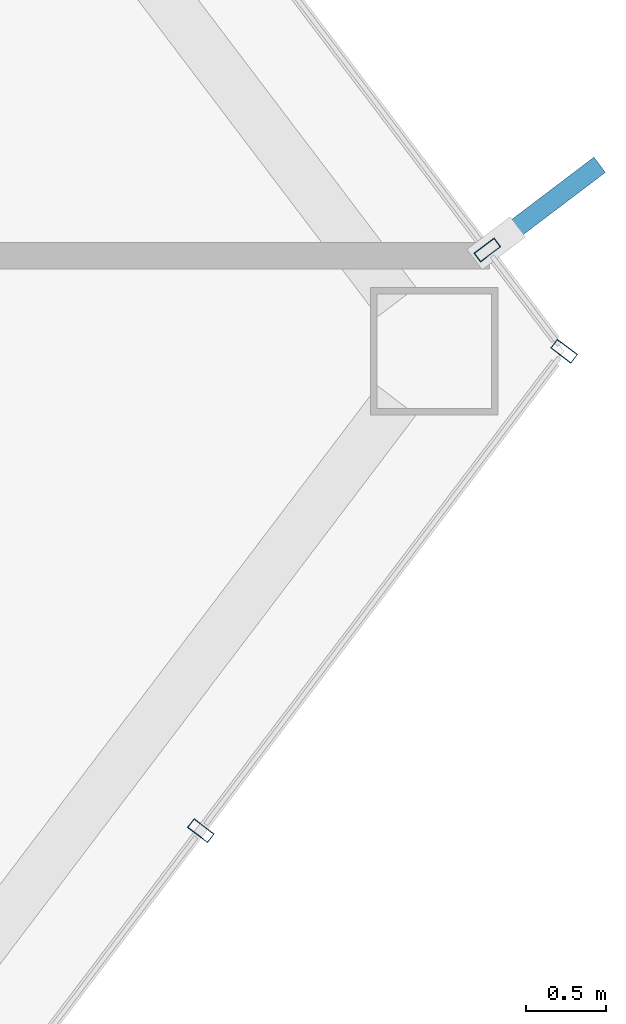
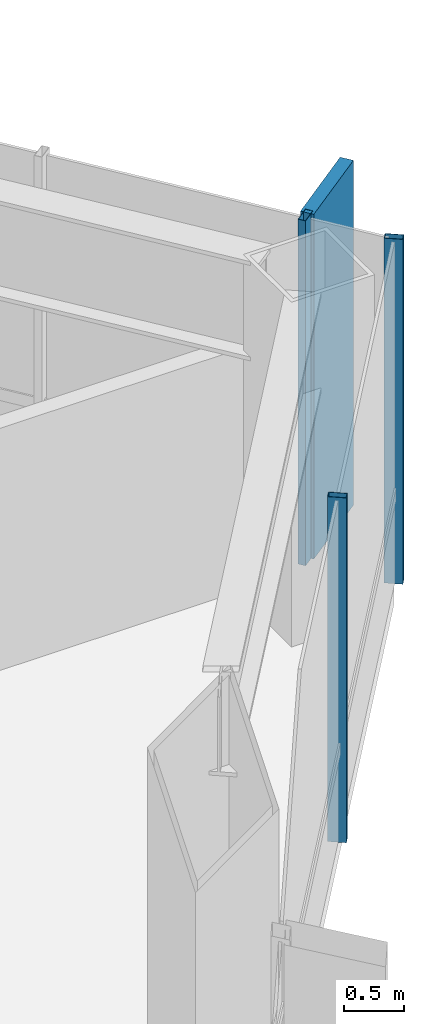
# One storey, part 21 of 29: 4 members, 2 elements without a shape of their own.
"""IFC4 building model written with IfcOpenShell, lengths in metres."""

from ifc_helpers import new_model, si_unit, direction, frame, origin, origin_2d, place, context, subcontext, project, spatial, rectangle, hollow_rectangle, extrude, material, layer, layer_set, material_profile, profile_set, type_object, element, aggregate, save


model = new_model("IFC4")

# Units and contexts
model_context = context("Model", 3, precision=1e-05, world=origin(), true_north=direction((0.0, 1.0)))
body_context = subcontext(model_context, "Body", "Model", "MODEL_VIEW")
ifc_project = project(units=[si_unit("LENGTHUNIT", "METRE"), si_unit("AREAUNIT", "SQUARE_METRE"), si_unit("VOLUMEUNIT", "CUBIC_METRE"), si_unit("PLANEANGLEUNIT", "RADIAN"), si_unit("MASSUNIT", "GRAM", prefix="KILO")], contexts=[model_context])

# Site, building, storey
site_placement = place(None, origin())
site = spatial("IfcSite", under=ifc_project, at=site_placement, CompositionType="ELEMENT")
building_placement = place(site_placement, origin())
building = spatial("IfcBuilding", under=site, at=building_placement, Name="Zarrinselat Tower", CompositionType="ELEMENT")
storey_placement = place(building_placement, frame((0.0, 0.0, 138.3798828125)))
storey = spatial("IfcBuildingStorey", under=building, at=storey_placement, Name="L33", CompositionType="ELEMENT", Elevation=138.3798828125)

# Curtain wall, members
ifc_material_1 = material(Name="Extruded Aluminium Alloy EN AW-6063 T6", Category="aluminium")
ifc_layer = layer(ifc_material_1, 0.175048828125)
ifc_layer_set = layer_set([ifc_layer], Name="Extruded Aluminium Alloy EN AW-6063 T6")
curtain_wall_type = type_object("IfcCurtainWallType", Name="CWS-HTL", PredefinedType="NOTDEFINED", material=ifc_layer_set)
curtain_wall_1_placement = place(storey_placement, origin())
curtain_wall_1 = element("IfcCurtainWall", 1, at=curtain_wall_1_placement, inside=storey, type_object=curtain_wall_type, Name="L33 Unitised Curtain Wall CW-L33-E05", PredefinedType="NOTDEFINED")
ifc_material_2 = material(Name="Extruded Aluminium Alloy EN AW-6063 T6", Category="aluminium")
ifc_material_profile_1 = material_profile(ifc_material_2, hollow_rectangle(XDim=0.070068359375, YDim=0.159912109375, WallThickness=0.00390625, at=origin_2d()), Name="RHS 160x70x4")
ifc_profile_set_1 = profile_set([ifc_material_profile_1], Name="Extruded Aluminium Alloy EN AW-6063 T6")
member_type_1 = type_object("IfcMemberType", Name="MEM-CW-MUL2", PredefinedType="MULLION", material=ifc_profile_set_1)
member_1_placement = place(storey_placement, frame((60.581298828125, 36.009521484375, 0.0), z_axis=(0.0, 0.0, 1.0), x_axis=(0.603855794642, 0.797093582509, 0.0)))
member_1 = element("IfcMember", 2, at=member_1_placement, type_object=member_type_1, Name="CW-L33-E05 Mullion 8", PredefinedType="MULLION", context=body_context, shape_type="SweptSolid", body=[
    extrude(hollow_rectangle(XDim=0.070068359375, YDim=0.159912109375, WallThickness=0.00390625, at=origin_2d()), origin(), (0.0, 0.0, 1.0), 3.5),
])
member_2_placement = place(storey_placement, frame((62.8623046875, 39.02001953125, 0.0), z_axis=(0.0, 0.0, 1.0), x_axis=(0.603855794642, 0.797093582509, 0.0)))
member_2 = element("IfcMember", 3, at=member_2_placement, type_object=member_type_1, Name="CW-L33-E05 Mullion 9", PredefinedType="MULLION", context=body_context, shape_type="SweptSolid", body=[
    extrude(hollow_rectangle(XDim=0.070068359375, YDim=0.159912109375, WallThickness=0.00390625, at=origin_2d()), origin(), (0.0, 0.0, 1.0), 3.5),
])
aggregate(curtain_wall_1, [member_1, member_2])

curtain_wall_2_placement = place(storey_placement, origin())
curtain_wall_2 = element("IfcCurtainWall", 4, at=curtain_wall_2_placement, inside=storey, type_object=curtain_wall_type, Name="L33 Unitised Curtain Wall CW-L33-E06", PredefinedType="NOTDEFINED")
member_3_placement = place(storey_placement, frame((62.38037109375, 39.65625, 0.0), z_axis=(0.0, 0.0, 1.0), x_axis=(-0.60385935447, 0.79709088567, 0.0)))
member_3 = element("IfcMember", 5, at=member_3_placement, type_object=member_type_1, Name="CW-L33-E06 Mullion 1", PredefinedType="MULLION", context=body_context, shape_type="SweptSolid", body=[
    extrude(hollow_rectangle(XDim=0.070068359375, YDim=0.159912109375, WallThickness=0.00390625, at=origin_2d()), origin(), (0.0, 0.0, 1.0), 3.5),
])
ifc_material_3 = material(Name="Honed Cream Travertine Stone", Category="masonry")
ifc_material_profile_2 = material_profile(ifc_material_3, rectangle(XDim=0.1201171875, YDim=0.85009765625, at=origin_2d()), Name="FIN 850x120")
ifc_profile_set_2 = profile_set([ifc_material_profile_2], Name="Honed Cream Travertine Stone")
member_type_2 = type_object("IfcMemberType", Name="MEM-STONE-FIN", PredefinedType="USERDEFINED", material=ifc_profile_set_2)
member_4_placement = place(storey_placement, frame((62.7470703125, 39.93408203125, 0.0), z_axis=(0.0, 0.0, 1.0), x_axis=(0.60385935447, -0.79709088567, 0.0)))
member_4 = element("IfcMember", 6, at=member_4_placement, type_object=member_type_2, Name="L33 Stone Shading Fin CW-L33-E06-01", ObjectType="FIN", PredefinedType="USERDEFINED", context=body_context, shape_type="SweptSolid", body=[
    extrude(rectangle(XDim=0.1201171875, YDim=0.85009765625, at=origin_2d()), origin(), (0.0, 0.0, 1.0), 3.5),
])
aggregate(curtain_wall_2, [member_3, member_4])

save(model, "model.ifc")
